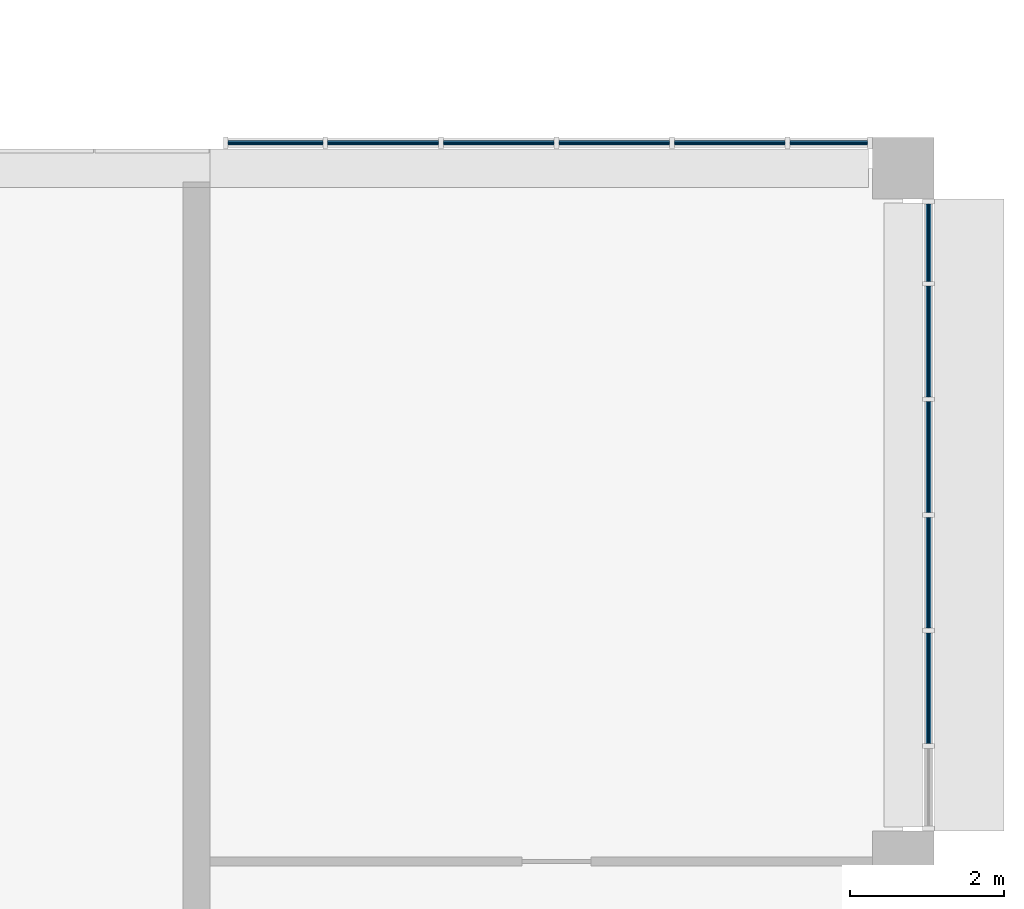
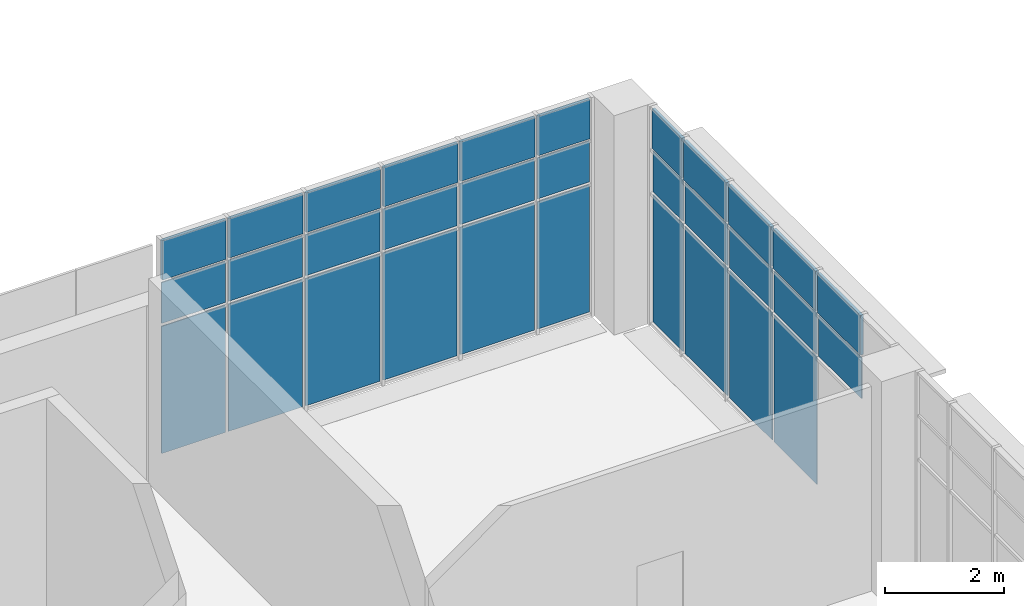
# One storey, part 21 of 40: 32 plates, 2 elements without a shape of their own.
"""IFC4 building model written with IfcOpenShell, lengths in metres."""

import ifcopenshell
import ifcopenshell.guid

model = None  # the IFC model being written
_history = None  # IfcOwnerHistory: only IFC2X3 demands one
_inside = {}  # id of a spatial element -> (the spatial element, [elements in it])
_under = {}  # id of a project, library or spatial element -> (it, [spatial elements below it])
_declared = {}  # id of a project -> (the project, [libraries it declares])
_typed = {}  # id of a type object -> (the type object, [elements of that type])
_made_of = {}  # id of a material, layer set ... -> (it, [elements and type objects made of it])


def new_model(schema):
    """Start an empty IFC model of exactly this schema.

    Asked for "IFC4X3", IfcOpenShell would pick the latest addendum, in which some entities
    have other attributes; the version numbers below select the first issue.
    IFC2X3 requires an IfcOwnerHistory on every rooted entity: one is made here for all.
    """
    global model, _history
    if schema == "IFC4X3":
        model = ifcopenshell.file(schema_version=(4, 3, 0, 0))
    else:
        model = ifcopenshell.file(schema=schema)
    _inside.clear()
    _under.clear()
    _declared.clear()
    _typed.clear()
    _made_of.clear()
    _history = None
    if model.schema == "IFC2X3":
        org = make("IfcOrganization", Name="unknown")
        user = make(
            "IfcPersonAndOrganization",
            ThePerson=make("IfcPerson", FamilyName="unknown"),
            TheOrganization=org,
        )
        app = make(
            "IfcApplication",
            ApplicationDeveloper=org,
            Version="unknown",
            ApplicationFullName="unknown",
            ApplicationIdentifier="unknown",
        )
        _history = make(
            "IfcOwnerHistory",
            OwningUser=user,
            OwningApplication=app,
            ChangeAction="ADDED",
            CreationDate=0,
        )
    return model


def make(cls, **values):
    """One entity of the class cls with the attributes given. An attribute that is None is left unset."""
    return model.create_entity(
        cls, **{name: value for name, value in values.items() if value is not None}
    )


def rooted(cls, **values):
    """An entity with a GlobalId (a new one), such as an element, a storey or a relation."""
    return make(cls, GlobalId=ifcopenshell.guid.new(), OwnerHistory=_history, **values)


def si_unit(unit_type, name, prefix=None):
    """IfcSIUnit, for example si_unit("LENGTHUNIT", "METRE", prefix="MILLI")."""
    return make("IfcSIUnit", UnitType=unit_type, Prefix=prefix, Name=name)


def assignment(units):
    """IfcUnitAssignment: the units of a project."""
    return None if units is None else make("IfcUnitAssignment", Units=units)


def point(xyz):
    """IfcCartesianPoint."""
    return None if xyz is None else make("IfcCartesianPoint", Coordinates=xyz)


def direction(xyz):
    """IfcDirection."""
    return None if xyz is None else make("IfcDirection", DirectionRatios=xyz)


def frame(location, z_axis=None, x_axis=None):
    """IfcAxis2Placement3D, a coordinate frame: its origin and axes. An axis left out is left unset."""
    return make(
        "IfcAxis2Placement3D",
        Location=point(location),
        Axis=direction(z_axis),
        RefDirection=direction(x_axis),
    )


def frame_2d(location, x_axis=None):
    """IfcAxis2Placement2D, a coordinate frame in the plane: its origin and x axis."""
    return make(
        "IfcAxis2Placement2D", Location=point(location), RefDirection=direction(x_axis)
    )


def origin():
    """The frame at (0, 0, 0) with its axes left unset."""
    return frame((0.0, 0.0, 0.0))


def origin_2d():
    """The frame at (0, 0) in the plane with its x axis left unset."""
    return frame_2d((0.0, 0.0))


def place(relative_to, where):
    """IfcLocalPlacement: puts the frame where relative to a parent placement (None: the world)."""
    return make(
        "IfcLocalPlacement", PlacementRelTo=relative_to, RelativePlacement=where
    )


def context(
    kind, dimensions, precision=None, world=None, true_north=None, identifier=None
):
    """IfcGeometricRepresentationContext, for example the 3D "Model" context."""
    return make(
        "IfcGeometricRepresentationContext",
        ContextIdentifier=identifier,
        ContextType=kind,
        CoordinateSpaceDimension=dimensions,
        Precision=precision,
        WorldCoordinateSystem=world,
        TrueNorth=true_north,
    )


def subcontext(parent, identifier, kind, view, scale=None):
    """IfcGeometricRepresentationSubContext, for example "Body" below "Model"."""
    return make(
        "IfcGeometricRepresentationSubContext",
        ContextIdentifier=identifier,
        ContextType=kind,
        ParentContext=parent,
        TargetScale=scale,
        TargetView=view,
    )


def project(units=None, contexts=None):
    """IfcProject with its units and contexts."""
    return rooted(
        "IfcProject",
        Name="project",
        RepresentationContexts=contexts,
        UnitsInContext=assignment(units),
    )


def spatial(cls, under=None, at=None, **own):
    """A site, building, storey or space (cls), placed at a placement, below another one or the project."""
    s = rooted(cls, ObjectPlacement=at, **own)
    if under is not None:
        _under.setdefault(under.id(), (under, []))[1].append(s)
    return s


def profile(cls, at=None, kind="AREA", **sizes):
    """A parametric profile (cls). Its sizes go by their IFC names, for example OverallWidth=200.0."""
    return make(cls, ProfileType=kind, Position=at, **sizes)


def rectangle(**sizes):
    """IfcRectangleProfileDef."""
    return profile("IfcRectangleProfileDef", **sizes)


def extrude(swept, where, along, depth):
    """IfcExtrudedAreaSolid: the profile swept, set in the frame where, extruded along a direction by depth."""
    return make(
        "IfcExtrudedAreaSolid",
        SweptArea=swept,
        Position=where,
        ExtrudedDirection=direction(along),
        Depth=depth,
    )


def shape(context_of_items, identifier, shape_type, items):
    """IfcShapeRepresentation: the items that make up one representation, for example the "Body"."""
    return make(
        "IfcShapeRepresentation",
        ContextOfItems=context_of_items,
        RepresentationIdentifier=identifier,
        RepresentationType=shape_type,
        Items=items,
    )


def material(Name=None, Category=None):
    """IfcMaterial."""
    return make("IfcMaterial", Name=Name, Category=Category)


def layer(
    of_material, thickness, ventilated=None, Name=None, Category=None, Priority=None
):
    """IfcMaterialLayer: one layer of a wall or slab, of a material (None: an air gap)."""
    return make(
        "IfcMaterialLayer",
        Material=of_material,
        LayerThickness=thickness,
        IsVentilated=ventilated,
        Name=Name,
        Category=Category,
        Priority=Priority,
    )


def layer_set(layers, Name=None):
    """IfcMaterialLayerSet."""
    return make("IfcMaterialLayerSet", MaterialLayers=layers, LayerSetName=Name)


def made_of(thing, what):
    """Note that an element or type object is made of a material, layer set ...; save() writes the relation."""
    if what is not None:
        _made_of.setdefault(what.id(), (what, []))[1].append(thing)
    return thing


def type_object(cls, material=None, **own):
    """A type object (cls), such as IfcWallType, which elements share."""
    return made_of(rooted(cls, **own), material)


def element(
    cls,
    number,
    at=None,
    inside=None,
    cuts=None,
    type_object=None,
    material=None,
    context=None,
    identifier="Body",
    shape_type=None,
    held_by="IfcProductDefinitionShape",
    body=None,
    shapes=None,
    **own,
):
    """One element of the class cls, such as IfcWall. Its Tag is "e" and its number.

    at: its placement. inside: the storey or other place that contains it. cuts: it is an
    opening in that element (IfcRelVoidsElement). A single representation is given by context,
    identifier, shape_type and body (its items); several are given by shapes. held_by: the class
    of the entity that holds the representations. save() writes the other relations.
    """
    e = rooted(cls, Tag="e%d" % number, ObjectPlacement=at, **own)
    if body is not None:
        shapes = [shape(context, identifier, shape_type, body)]
    if shapes is not None:
        e.Representation = make(held_by, Representations=shapes)
    if inside is not None:
        _inside.setdefault(inside.id(), (inside, []))[1].append(e)
    if cuts is not None:
        rooted(
            "IfcRelVoidsElement", RelatingBuildingElement=cuts, RelatedOpeningElement=e
        )
    if type_object is not None:
        _typed.setdefault(type_object.id(), (type_object, []))[1].append(e)
    return made_of(e, material)


def aggregate(whole, parts):
    """IfcRelAggregates: a whole, such as a stair, and the parts it consists of."""
    return rooted("IfcRelAggregates", RelatingObject=whole, RelatedObjects=parts)


def save(model, path):
    """Write the relations noted so far, then the file.

    IfcRelAggregates (storeys below a building ...), IfcRelContainedInSpatialStructure (elements
    in a storey), IfcRelDefinesByType, IfcRelAssociatesMaterial and IfcRelDeclares: one each for
    every whole, place, type object, material and project.
    """
    for whole, parts in _under.values():
        aggregate(whole, parts)
    for where, things in _inside.values():
        rooted(
            "IfcRelContainedInSpatialStructure",
            RelatedElements=things,
            RelatingStructure=where,
        )
    for kind, things in _typed.values():
        rooted("IfcRelDefinesByType", RelatedObjects=things, RelatingType=kind)
    for what, things in _made_of.values():
        rooted("IfcRelAssociatesMaterial", RelatedObjects=things, RelatingMaterial=what)
    for by, libraries in _declared.values():
        rooted("IfcRelDeclares", RelatingContext=by, RelatedDefinitions=libraries)
    model.write(path)


model = new_model("IFC4")

# Units and contexts
model_context = context("Model", 3, precision=1e-05, world=origin(), true_north=direction((0.0, 1.0)))
body_context = subcontext(model_context, "Body", "Model", "MODEL_VIEW")
ifc_project = project(units=[si_unit("LENGTHUNIT", "METRE"), si_unit("AREAUNIT", "SQUARE_METRE"), si_unit("VOLUMEUNIT", "CUBIC_METRE"), si_unit("PLANEANGLEUNIT", "RADIAN"), si_unit("MASSUNIT", "GRAM", prefix="KILO")], contexts=[model_context])

# Site, building, storey
site_placement = place(None, origin())
site = spatial("IfcSite", under=ifc_project, at=site_placement, CompositionType="ELEMENT")
building_placement = place(site_placement, origin())
building = spatial("IfcBuilding", under=site, at=building_placement, Name="Guidao Yard Department Store", CompositionType="ELEMENT")
storey_placement = place(building_placement, frame((0.0, 0.0, 24.0)))
storey = spatial("IfcBuildingStorey", under=building, at=storey_placement, Name="L05", CompositionType="ELEMENT", Elevation=24.0)

# Curtain wall, plates
ifc_material_1 = material(Name="Aluminium and glass", Category="aluminium")
ifc_layer_1 = layer(ifc_material_1, 0.159912109375)
ifc_layer_set_1 = layer_set([ifc_layer_1], Name="Unitised curtain wall CW4 1500 module")
curtain_wall_type = type_object("IfcCurtainWallType", Name="Unitised curtain wall CW4 1500 module", PredefinedType="NOTDEFINED", material=ifc_layer_set_1)
curtain_wall_1_placement = place(storey_placement, origin())
curtain_wall_1 = element("IfcCurtainWall", 1, at=curtain_wall_1_placement, inside=storey, type_object=curtain_wall_type, Name="Unitised curtain wall", PredefinedType="NOTDEFINED")
ifc_material_2 = material(Name="Aluminium 6063-T5 faced insulated spandrel", Category="aluminium")
ifc_layer_2 = layer(ifc_material_2, 0.06005859375)
ifc_layer_set_2 = layer_set([ifc_layer_2], Name="Spandrel panel SP1 insulated opaque")
plate_type_1 = type_object("IfcPlateType", Name="Spandrel panel SP1 insulated opaque", PredefinedType="CURTAIN_PANEL", material=ifc_layer_set_2)
plate_1_placement = place(storey_placement, frame((162.8525390625, 27.330078125, 3.6298828125), z_axis=(0.0, 0.0, 1.0), x_axis=(1.0, 0.0, 0.0)))
plate_1 = element("IfcPlate", 2, at=plate_1_placement, type_object=plate_type_1, Name="CW-OW-L05-08 panel 1.3", PredefinedType="CURTAIN_PANEL", context=body_context, shape_type="SweptSolid", body=[
    extrude(rectangle(XDim=1.235107421875, YDim=0.06005859375, at=origin_2d()), origin(), (0.0, 0.0, 1.0), 0.81005859375),
])
plate_2_placement = place(storey_placement, frame((164.25, 27.330078125, 3.6298828125), z_axis=(0.0, 0.0, 1.0), x_axis=(1.0, 0.0, 0.0)))
plate_2 = element("IfcPlate", 3, at=plate_2_placement, type_object=plate_type_1, Name="CW-OW-L05-08 panel 2.3", PredefinedType="CURTAIN_PANEL", context=body_context, shape_type="SweptSolid", body=[
    extrude(rectangle(XDim=1.43994140625, YDim=0.06005859375, at=origin_2d()), origin(), (0.0, 0.0, 1.0), 0.81005859375),
])
plate_3_placement = place(storey_placement, frame((165.75, 27.330078125, 3.6298828125), z_axis=(0.0, 0.0, 1.0), x_axis=(1.0, 0.0, 0.0)))
plate_3 = element("IfcPlate", 4, at=plate_3_placement, type_object=plate_type_1, Name="CW-OW-L05-08 panel 3.3", PredefinedType="CURTAIN_PANEL", context=body_context, shape_type="SweptSolid", body=[
    extrude(rectangle(XDim=1.43994140625, YDim=0.06005859375, at=origin_2d()), origin(), (0.0, 0.0, 1.0), 0.81005859375),
])
plate_4_placement = place(storey_placement, frame((167.25, 27.330078125, 3.6298828125), z_axis=(0.0, 0.0, 1.0), x_axis=(1.0, 0.0, 0.0)))
plate_4 = element("IfcPlate", 5, at=plate_4_placement, type_object=plate_type_1, Name="CW-OW-L05-08 panel 4.3", PredefinedType="CURTAIN_PANEL", context=body_context, shape_type="SweptSolid", body=[
    extrude(rectangle(XDim=1.43994140625, YDim=0.06005859375, at=origin_2d()), origin(), (0.0, 0.0, 1.0), 0.81005859375),
])
plate_5_placement = place(storey_placement, frame((168.75, 27.330078125, 3.6298828125), z_axis=(0.0, 0.0, 1.0), x_axis=(1.0, 0.0, 0.0)))
plate_5 = element("IfcPlate", 6, at=plate_5_placement, type_object=plate_type_1, Name="CW-OW-L05-08 panel 5.3", PredefinedType="CURTAIN_PANEL", context=body_context, shape_type="SweptSolid", body=[
    extrude(rectangle(XDim=1.43994140625, YDim=0.06005859375, at=origin_2d()), origin(), (0.0, 0.0, 1.0), 0.81005859375),
])
plate_6_placement = place(storey_placement, frame((170.034912109375, 27.330078125, 3.6298828125), z_axis=(0.0, 0.0, 1.0), x_axis=(1.0, 0.0, 0.0)))
plate_6 = element("IfcPlate", 7, at=plate_6_placement, type_object=plate_type_1, Name="CW-OW-L05-08 panel 6.3", PredefinedType="CURTAIN_PANEL", context=body_context, shape_type="SweptSolid", body=[
    extrude(rectangle(XDim=1.010009765625, YDim=0.06005859375, at=origin_2d()), origin(), (0.0, 0.0, 1.0), 0.81005859375),
])

curtain_wall_2_placement = place(storey_placement, origin())
curtain_wall_2 = element("IfcCurtainWall", 8, at=curtain_wall_2_placement, inside=storey, type_object=curtain_wall_type, Name="Unitised curtain wall", PredefinedType="NOTDEFINED")
plate_7_placement = place(storey_placement, frame((171.330078125, 20.25, 3.6298828125), z_axis=(0.0, 0.0, 1.0), x_axis=(0.0, -1.0, 0.0)))
plate_7 = element("IfcPlate", 9, at=plate_7_placement, type_object=plate_type_1, Name="CW-OW-L05-11 panel 2.3", PredefinedType="CURTAIN_PANEL", context=body_context, shape_type="SweptSolid", body=[
    extrude(rectangle(XDim=1.43994140625, YDim=0.06005859375, at=origin_2d()), origin(), (0.0, 0.0, 1.0), 0.81005859375),
])
plate_8_placement = place(storey_placement, frame((171.330078125, 21.75, 3.6298828125), z_axis=(0.0, 0.0, 1.0), x_axis=(0.0, -1.0, 0.0)))
plate_8 = element("IfcPlate", 10, at=plate_8_placement, type_object=plate_type_1, Name="CW-OW-L05-11 panel 3.3", PredefinedType="CURTAIN_PANEL", context=body_context, shape_type="SweptSolid", body=[
    extrude(rectangle(XDim=1.43994140625, YDim=0.06005859375, at=origin_2d()), origin(), (0.0, 0.0, 1.0), 0.81005859375),
])
plate_9_placement = place(storey_placement, frame((171.330078125, 23.25, 3.6298828125), z_axis=(0.0, 0.0, 1.0), x_axis=(0.0, -1.0, 0.0)))
plate_9 = element("IfcPlate", 11, at=plate_9_placement, type_object=plate_type_1, Name="CW-OW-L05-11 panel 4.3", PredefinedType="CURTAIN_PANEL", context=body_context, shape_type="SweptSolid", body=[
    extrude(rectangle(XDim=1.43994140625, YDim=0.06005859375, at=origin_2d()), origin(), (0.0, 0.0, 1.0), 0.81005859375),
])
plate_10_placement = place(storey_placement, frame((171.330078125, 24.75, 3.6298828125), z_axis=(0.0, 0.0, 1.0), x_axis=(0.0, -1.0, 0.0)))
plate_10 = element("IfcPlate", 12, at=plate_10_placement, type_object=plate_type_1, Name="CW-OW-L05-11 panel 5.3", PredefinedType="CURTAIN_PANEL", context=body_context, shape_type="SweptSolid", body=[
    extrude(rectangle(XDim=1.43994140625, YDim=0.06005859375, at=origin_2d()), origin(), (0.0, 0.0, 1.0), 0.81005859375),
])
plate_11_placement = place(storey_placement, frame((171.330078125, 26.034912109375, 3.6298828125), z_axis=(0.0, 0.0, 1.0), x_axis=(0.0, -1.0, 0.0)))
plate_11 = element("IfcPlate", 13, at=plate_11_placement, type_object=plate_type_1, Name="CW-OW-L05-11 panel 6.3", PredefinedType="CURTAIN_PANEL", context=body_context, shape_type="SweptSolid", body=[
    extrude(rectangle(XDim=1.010009765625, YDim=0.06005859375, at=origin_2d()), origin(), (0.0, 0.0, 1.0), 0.81005859375),
])

# Plate
ifc_material_3 = material(Name="Laminated heat-soaked tempered glass", Category="glass")
ifc_layer_3 = layer(ifc_material_3, 0.017578125)
ifc_layer_set_3 = layer_set([ifc_layer_3], Name="Vision glass VG1 laminated heat-soaked tempered 8+8")
plate_type_2 = type_object("IfcPlateType", Name="Vision glass VG1 laminated heat-soaked tempered 8+8", PredefinedType="CURTAIN_PANEL", material=ifc_layer_set_3)
plate_12_placement = place(storey_placement, frame((162.8525390625, 27.330078125, 0.06005859375), z_axis=(0.0, 0.0, 1.0), x_axis=(1.0, 0.0, 0.0)))
plate_12 = element("IfcPlate", 14, at=plate_12_placement, type_object=plate_type_2, Name="CW-OW-L05-08 panel 1.1", PredefinedType="CURTAIN_PANEL", context=body_context, shape_type="SweptSolid", body=[
    extrude(rectangle(XDim=1.235107421875, YDim=0.017578125, at=origin_2d()), origin(), (0.0, 0.0, 1.0), 2.610107421875),
])

plate_13_placement = place(storey_placement, frame((162.8525390625, 27.330078125, 2.72998046875), z_axis=(0.0, 0.0, 1.0), x_axis=(1.0, 0.0, 0.0)))
plate_13 = element("IfcPlate", 15, at=plate_13_placement, type_object=plate_type_2, Name="CW-OW-L05-08 panel 1.2", PredefinedType="CURTAIN_PANEL", context=body_context, shape_type="SweptSolid", body=[
    extrude(rectangle(XDim=1.235107421875, YDim=0.017578125, at=origin_2d()), origin(), (0.0, 0.0, 1.0), 0.840087890625),
])

plate_14_placement = place(storey_placement, frame((164.25, 27.330078125, 0.06005859375), z_axis=(0.0, 0.0, 1.0), x_axis=(1.0, 0.0, 0.0)))
plate_14 = element("IfcPlate", 16, at=plate_14_placement, type_object=plate_type_2, Name="CW-OW-L05-08 panel 2.1", PredefinedType="CURTAIN_PANEL", context=body_context, shape_type="SweptSolid", body=[
    extrude(rectangle(XDim=1.43994140625, YDim=0.017578125, at=origin_2d()), origin(), (0.0, 0.0, 1.0), 2.610107421875),
])

plate_15_placement = place(storey_placement, frame((164.25, 27.330078125, 2.72998046875), z_axis=(0.0, 0.0, 1.0), x_axis=(1.0, 0.0, 0.0)))
plate_15 = element("IfcPlate", 17, at=plate_15_placement, type_object=plate_type_2, Name="CW-OW-L05-08 panel 2.2", PredefinedType="CURTAIN_PANEL", context=body_context, shape_type="SweptSolid", body=[
    extrude(rectangle(XDim=1.43994140625, YDim=0.017578125, at=origin_2d()), origin(), (0.0, 0.0, 1.0), 0.840087890625),
])

plate_16_placement = place(storey_placement, frame((165.75, 27.330078125, 0.06005859375), z_axis=(0.0, 0.0, 1.0), x_axis=(1.0, 0.0, 0.0)))
plate_16 = element("IfcPlate", 18, at=plate_16_placement, type_object=plate_type_2, Name="CW-OW-L05-08 panel 3.1", PredefinedType="CURTAIN_PANEL", context=body_context, shape_type="SweptSolid", body=[
    extrude(rectangle(XDim=1.43994140625, YDim=0.017578125, at=origin_2d()), origin(), (0.0, 0.0, 1.0), 2.610107421875),
])

plate_17_placement = place(storey_placement, frame((165.75, 27.330078125, 2.72998046875), z_axis=(0.0, 0.0, 1.0), x_axis=(1.0, 0.0, 0.0)))
plate_17 = element("IfcPlate", 19, at=plate_17_placement, type_object=plate_type_2, Name="CW-OW-L05-08 panel 3.2", PredefinedType="CURTAIN_PANEL", context=body_context, shape_type="SweptSolid", body=[
    extrude(rectangle(XDim=1.43994140625, YDim=0.017578125, at=origin_2d()), origin(), (0.0, 0.0, 1.0), 0.840087890625),
])

plate_18_placement = place(storey_placement, frame((167.25, 27.330078125, 0.06005859375), z_axis=(0.0, 0.0, 1.0), x_axis=(1.0, 0.0, 0.0)))
plate_18 = element("IfcPlate", 20, at=plate_18_placement, type_object=plate_type_2, Name="CW-OW-L05-08 panel 4.1", PredefinedType="CURTAIN_PANEL", context=body_context, shape_type="SweptSolid", body=[
    extrude(rectangle(XDim=1.43994140625, YDim=0.017578125, at=origin_2d()), origin(), (0.0, 0.0, 1.0), 2.610107421875),
])

plate_19_placement = place(storey_placement, frame((167.25, 27.330078125, 2.72998046875), z_axis=(0.0, 0.0, 1.0), x_axis=(1.0, 0.0, 0.0)))
plate_19 = element("IfcPlate", 21, at=plate_19_placement, type_object=plate_type_2, Name="CW-OW-L05-08 panel 4.2", PredefinedType="CURTAIN_PANEL", context=body_context, shape_type="SweptSolid", body=[
    extrude(rectangle(XDim=1.43994140625, YDim=0.017578125, at=origin_2d()), origin(), (0.0, 0.0, 1.0), 0.840087890625),
])

plate_20_placement = place(storey_placement, frame((168.75, 27.330078125, 0.06005859375), z_axis=(0.0, 0.0, 1.0), x_axis=(1.0, 0.0, 0.0)))
plate_20 = element("IfcPlate", 22, at=plate_20_placement, type_object=plate_type_2, Name="CW-OW-L05-08 panel 5.1", PredefinedType="CURTAIN_PANEL", context=body_context, shape_type="SweptSolid", body=[
    extrude(rectangle(XDim=1.43994140625, YDim=0.017578125, at=origin_2d()), origin(), (0.0, 0.0, 1.0), 2.610107421875),
])

plate_21_placement = place(storey_placement, frame((168.75, 27.330078125, 2.72998046875), z_axis=(0.0, 0.0, 1.0), x_axis=(1.0, 0.0, 0.0)))
plate_21 = element("IfcPlate", 23, at=plate_21_placement, type_object=plate_type_2, Name="CW-OW-L05-08 panel 5.2", PredefinedType="CURTAIN_PANEL", context=body_context, shape_type="SweptSolid", body=[
    extrude(rectangle(XDim=1.43994140625, YDim=0.017578125, at=origin_2d()), origin(), (0.0, 0.0, 1.0), 0.840087890625),
])

plate_22_placement = place(storey_placement, frame((170.034912109375, 27.330078125, 0.06005859375), z_axis=(0.0, 0.0, 1.0), x_axis=(1.0, 0.0, 0.0)))
plate_22 = element("IfcPlate", 24, at=plate_22_placement, type_object=plate_type_2, Name="CW-OW-L05-08 panel 6.1", PredefinedType="CURTAIN_PANEL", context=body_context, shape_type="SweptSolid", body=[
    extrude(rectangle(XDim=1.010009765625, YDim=0.017578125, at=origin_2d()), origin(), (0.0, 0.0, 1.0), 2.610107421875),
])

plate_23_placement = place(storey_placement, frame((170.034912109375, 27.330078125, 2.72998046875), z_axis=(0.0, 0.0, 1.0), x_axis=(1.0, 0.0, 0.0)))
plate_23 = element("IfcPlate", 25, at=plate_23_placement, type_object=plate_type_2, Name="CW-OW-L05-08 panel 6.2", PredefinedType="CURTAIN_PANEL", context=body_context, shape_type="SweptSolid", body=[
    extrude(rectangle(XDim=1.010009765625, YDim=0.017578125, at=origin_2d()), origin(), (0.0, 0.0, 1.0), 0.840087890625),
])

aggregate(curtain_wall_1, [plate_12, plate_13, plate_1, plate_14, plate_15, plate_2, plate_16, plate_17, plate_3, plate_18, plate_19, plate_4, plate_20, plate_21, plate_5, plate_22, plate_23, plate_6])

plate_24_placement = place(storey_placement, frame((171.330078125, 20.25, 2.72998046875), z_axis=(0.0, 0.0, 1.0), x_axis=(0.0, -1.0, 0.0)))
plate_24 = element("IfcPlate", 26, at=plate_24_placement, type_object=plate_type_2, Name="CW-OW-L05-11 panel 2.2", PredefinedType="CURTAIN_PANEL", context=body_context, shape_type="SweptSolid", body=[
    extrude(rectangle(XDim=1.43994140625, YDim=0.017578125, at=origin_2d()), origin(), (0.0, 0.0, 1.0), 0.840087890625),
])

plate_25_placement = place(storey_placement, frame((171.330078125, 21.75, 0.06005859375), z_axis=(0.0, 0.0, 1.0), x_axis=(0.0, -1.0, 0.0)))
plate_25 = element("IfcPlate", 27, at=plate_25_placement, type_object=plate_type_2, Name="CW-OW-L05-11 panel 3.1", PredefinedType="CURTAIN_PANEL", context=body_context, shape_type="SweptSolid", body=[
    extrude(rectangle(XDim=1.43994140625, YDim=0.017578125, at=origin_2d()), origin(), (0.0, 0.0, 1.0), 2.610107421875),
])

plate_26_placement = place(storey_placement, frame((171.330078125, 21.75, 2.72998046875), z_axis=(0.0, 0.0, 1.0), x_axis=(0.0, -1.0, 0.0)))
plate_26 = element("IfcPlate", 28, at=plate_26_placement, type_object=plate_type_2, Name="CW-OW-L05-11 panel 3.2", PredefinedType="CURTAIN_PANEL", context=body_context, shape_type="SweptSolid", body=[
    extrude(rectangle(XDim=1.43994140625, YDim=0.017578125, at=origin_2d()), origin(), (0.0, 0.0, 1.0), 0.840087890625),
])

plate_27_placement = place(storey_placement, frame((171.330078125, 23.25, 0.06005859375), z_axis=(0.0, 0.0, 1.0), x_axis=(0.0, -1.0, 0.0)))
plate_27 = element("IfcPlate", 29, at=plate_27_placement, type_object=plate_type_2, Name="CW-OW-L05-11 panel 4.1", PredefinedType="CURTAIN_PANEL", context=body_context, shape_type="SweptSolid", body=[
    extrude(rectangle(XDim=1.43994140625, YDim=0.017578125, at=origin_2d()), origin(), (0.0, 0.0, 1.0), 2.610107421875),
])

plate_28_placement = place(storey_placement, frame((171.330078125, 23.25, 2.72998046875), z_axis=(0.0, 0.0, 1.0), x_axis=(0.0, -1.0, 0.0)))
plate_28 = element("IfcPlate", 30, at=plate_28_placement, type_object=plate_type_2, Name="CW-OW-L05-11 panel 4.2", PredefinedType="CURTAIN_PANEL", context=body_context, shape_type="SweptSolid", body=[
    extrude(rectangle(XDim=1.43994140625, YDim=0.017578125, at=origin_2d()), origin(), (0.0, 0.0, 1.0), 0.840087890625),
])

plate_29_placement = place(storey_placement, frame((171.330078125, 24.75, 0.06005859375), z_axis=(0.0, 0.0, 1.0), x_axis=(0.0, -1.0, 0.0)))
plate_29 = element("IfcPlate", 31, at=plate_29_placement, type_object=plate_type_2, Name="CW-OW-L05-11 panel 5.1", PredefinedType="CURTAIN_PANEL", context=body_context, shape_type="SweptSolid", body=[
    extrude(rectangle(XDim=1.43994140625, YDim=0.017578125, at=origin_2d()), origin(), (0.0, 0.0, 1.0), 2.610107421875),
])

plate_30_placement = place(storey_placement, frame((171.330078125, 24.75, 2.72998046875), z_axis=(0.0, 0.0, 1.0), x_axis=(0.0, -1.0, 0.0)))
plate_30 = element("IfcPlate", 32, at=plate_30_placement, type_object=plate_type_2, Name="CW-OW-L05-11 panel 5.2", PredefinedType="CURTAIN_PANEL", context=body_context, shape_type="SweptSolid", body=[
    extrude(rectangle(XDim=1.43994140625, YDim=0.017578125, at=origin_2d()), origin(), (0.0, 0.0, 1.0), 0.840087890625),
])

plate_31_placement = place(storey_placement, frame((171.330078125, 26.034912109375, 0.06005859375), z_axis=(0.0, 0.0, 1.0), x_axis=(0.0, -1.0, 0.0)))
plate_31 = element("IfcPlate", 33, at=plate_31_placement, type_object=plate_type_2, Name="CW-OW-L05-11 panel 6.1", PredefinedType="CURTAIN_PANEL", context=body_context, shape_type="SweptSolid", body=[
    extrude(rectangle(XDim=1.010009765625, YDim=0.017578125, at=origin_2d()), origin(), (0.0, 0.0, 1.0), 2.610107421875),
])

plate_32_placement = place(storey_placement, frame((171.330078125, 26.034912109375, 2.72998046875), z_axis=(0.0, 0.0, 1.0), x_axis=(0.0, -1.0, 0.0)))
plate_32 = element("IfcPlate", 34, at=plate_32_placement, type_object=plate_type_2, Name="CW-OW-L05-11 panel 6.2", PredefinedType="CURTAIN_PANEL", context=body_context, shape_type="SweptSolid", body=[
    extrude(rectangle(XDim=1.010009765625, YDim=0.017578125, at=origin_2d()), origin(), (0.0, 0.0, 1.0), 0.840087890625),
])

aggregate(curtain_wall_2, [plate_24, plate_7, plate_25, plate_26, plate_8, plate_27, plate_28, plate_9, plate_29, plate_30, plate_10, plate_31, plate_32, plate_11])

save(model, "model.ifc")
